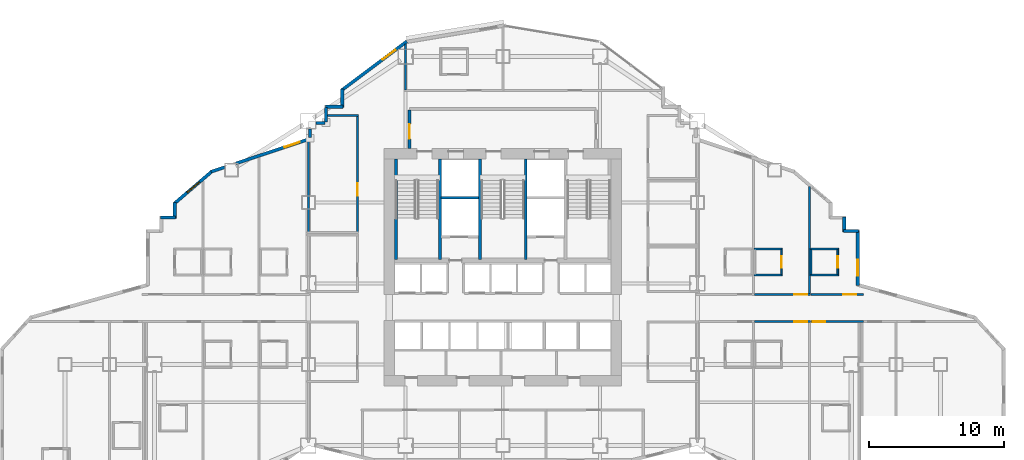
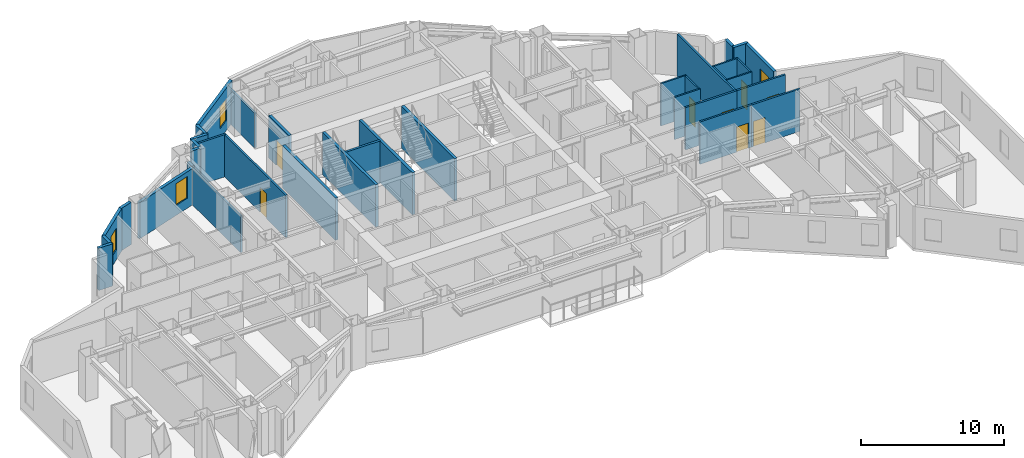
# One storey, part 11 of 17: 36 walls, 8 doors, 4 windows, 12 openings.
"""IFC4 building model written with IfcOpenShell, lengths in metres."""

from ifc_helpers import new_model, si_unit, direction, frame, frame_2d, origin, place, context, subcontext, project, spatial, rectangle, extrude, material, layer, layer_set, type_object, element, fill, save


model = new_model("IFC4")

# Units and contexts
model_context = context("Model", 3, precision=1e-05, world=origin(), true_north=direction((0.0, 1.0)))
body_context = subcontext(model_context, "Body", "Model", "MODEL_VIEW")
ifc_project = project(units=[si_unit("LENGTHUNIT", "METRE"), si_unit("AREAUNIT", "SQUARE_METRE"), si_unit("VOLUMEUNIT", "CUBIC_METRE"), si_unit("PLANEANGLEUNIT", "RADIAN"), si_unit("MASSUNIT", "GRAM", prefix="KILO")], contexts=[model_context])

# Site, building, storey
site_placement = place(None, origin())
site = spatial("IfcSite", under=ifc_project, at=site_placement, CompositionType="ELEMENT")
building_placement = place(site_placement, origin())
building = spatial("IfcBuilding", under=site, at=building_placement, Name="Haolan Belvedere Tower", CompositionType="ELEMENT")
storey_placement = place(building_placement, frame((0.0, 0.0, 81.800048828125)))
storey = spatial("IfcBuildingStorey", under=building, at=storey_placement, Name="L20", CompositionType="ELEMENT", Elevation=81.800048828125)

# Wall, opening, window
ifc_material_1 = material(Name="Precast concrete C40/50", Category="concrete")
ifc_layer_1 = layer(ifc_material_1, 0.239990234375, Name="Precast concrete C40/50")
ifc_layer_set_1 = layer_set([ifc_layer_1], Name="Precast concrete C40/50")
wall_type_1 = type_object("IfcWallType", Name="WL-EXT-240", PredefinedType="SOLIDWALL", material=ifc_layer_set_1)
wall_1_placement = place(storey_placement, frame((64.679931640625, 33.453857421875, 0.0), z_axis=(0.0, 0.0, 1.0), x_axis=(0.0, 1.0, 0.0)))
wall_1 = element("IfcWall", 1, at=wall_1_placement, inside=storey, type_object=wall_type_1, Name="L20 pale-metal exterior spandrel wall 29.1", PredefinedType="SOLIDWALL", context=body_context, shape_type="SweptSolid", body=[
    extrude(rectangle(XDim=4.0810546875, YDim=0.239990234375, at=frame_2d((2.04052734375, 0.0))), origin(), (0.0, 0.0, 1.0), 3.599853515625),
])
opening_1_placement = place(wall_1_placement, frame((0.699951171875, 0.0, 0.85009765625)))
opening_1 = element("IfcOpeningElement", 2, at=opening_1_placement, cuts=wall_1, Name="Opening W-01", PredefinedType="OPENING", context=body_context, shape_type="SweptSolid", body=[
    extrude(rectangle(XDim=1.199951171875, YDim=1.85009765625, at=frame_2d((0.60009765625, 0.925048828125))), frame((0.0, 0.1298828125, 0.0), z_axis=(0.0, -1.0, 0.0), x_axis=(1.0, 0.0, 0.0)), (0.0, 0.0, 1.0), 0.260009765625),
])
ifc_material_2 = material(Name="Anodised aluminium 6063-T6 and Low-E glass", Category="aluminium")
window_type = type_object("IfcWindowType", Name="WN-DECO-Z1", PartitioningType="SINGLE_PANEL", PredefinedType="WINDOW", material=ifc_material_2)
window_1_placement = place(opening_1_placement, origin())
window_1 = element("IfcWindow", 3, at=window_1_placement, inside=storey, type_object=window_type, Name="L20 Art Deco chevron window 1", OverallHeight=1.85009765625, OverallWidth=1.199951171875, PartitioningType="SINGLE_PANEL", PredefinedType="WINDOW", context=body_context, shape_type="SweptSolid", body=[
    extrude(rectangle(XDim=1.199951171875, YDim=1.85009765625, at=frame_2d((0.60009765625, 0.925048828125))), frame((0.0, 0.030029296875, 0.0), z_axis=(0.0, -1.0, 0.0), x_axis=(1.0, 0.0, 0.0)), (0.0, 0.0, 1.0), 0.06005859375),
])
fill(opening_1, window_1)

# Walls
wall_2_placement = place(storey_placement, frame((64.735107421875, 37.47998046875, 0.0), z_axis=(0.0, 0.0, 1.0), x_axis=(-1.0, 0.0, 0.0)))
element("IfcWall", 4, at=wall_2_placement, inside=storey, type_object=wall_type_1, Name="L20 pale-metal exterior spandrel wall 30.1", PredefinedType="SOLIDWALL", context=body_context, shape_type="SweptSolid", body=[
    extrude(rectangle(XDim=1.110107421875, YDim=0.239990234375, at=frame_2d((0.55517578125, 0.0))), origin(), (0.0, 0.0, 1.0), 3.599853515625),
])
wall_3_placement = place(storey_placement, frame((63.679931640625, 37.425048828125, 0.0), z_axis=(0.0, 0.0, 1.0), x_axis=(0.0, 1.0, 0.0)))
element("IfcWall", 5, at=wall_3_placement, inside=storey, type_object=wall_type_1, Name="L20 pale-metal exterior spandrel wall 31.1", PredefinedType="SOLIDWALL", context=body_context, shape_type="SweptSolid", body=[
    extrude(rectangle(XDim=1.10986328125, YDim=0.239990234375, at=frame_2d((0.554931640625, 0.0))), origin(), (0.0, 0.0, 1.0), 3.599853515625),
])

# Wall, opening, window
wall_4_placement = place(storey_placement, frame((31.29248046875, 51.519287109375, 0.0), z_axis=(0.0, 0.0, 1.0), x_axis=(-0.8, -0.6, 0.0)))
wall_4 = element("IfcWall", 6, at=wall_4_placement, inside=storey, type_object=wall_type_1, Name="L20 pale-metal exterior spandrel wall 44.1", PredefinedType="SOLIDWALL", context=body_context, shape_type="SweptSolid", body=[
    extrude(rectangle(XDim=6.0205078125, YDim=0.239990234375, at=frame_2d((3.01025390625, 0.0))), origin(), (0.0, 0.0, 1.0), 3.599853515625),
])
opening_2_placement = place(wall_4_placement, frame((1.047119140625, 0.0, 0.85009765625)))
opening_2 = element("IfcOpeningElement", 7, at=opening_2_placement, cuts=wall_4, Name="Opening W-01", PredefinedType="OPENING", context=body_context, shape_type="SweptSolid", body=[
    extrude(rectangle(XDim=1.199951171875, YDim=1.85009765625, at=frame_2d((0.60009765625, 0.925048828125))), frame((0.0, 0.1298828125, 0.0), z_axis=(0.0, -1.0, 0.0), x_axis=(1.0, 0.0, 0.0)), (0.0, 0.0, 1.0), 0.260009765625),
])
window_2_placement = place(opening_2_placement, origin())
window_2 = element("IfcWindow", 8, at=window_2_placement, inside=storey, type_object=window_type, Name="L20 Art Deco chevron window 1", OverallHeight=1.85009765625, OverallWidth=1.199951171875, PartitioningType="SINGLE_PANEL", PredefinedType="WINDOW", context=body_context, shape_type="SweptSolid", body=[
    extrude(rectangle(XDim=1.199951171875, YDim=1.85009765625, at=frame_2d((0.60009765625, 0.925048828125))), frame((0.0, 0.030029296875, 0.0), z_axis=(0.0, -1.0, 0.0), x_axis=(1.0, 0.0, 0.0)), (0.0, 0.0, 1.0), 0.06005859375),
])
fill(opening_2, window_2)

# Walls
wall_5_placement = place(storey_placement, frame((26.52001953125, 47.9951171875, 0.0), z_axis=(0.0, 0.0, 1.0), x_axis=(0.0, -1.0, 0.0)))
element("IfcWall", 9, at=wall_5_placement, inside=storey, type_object=wall_type_1, Name="L20 pale-metal exterior spandrel wall 45.1", PredefinedType="SOLIDWALL", context=body_context, shape_type="SweptSolid", body=[
    extrude(rectangle(XDim=1.3701171875, YDim=0.239990234375, at=frame_2d((0.68505859375, 0.0))), origin(), (0.0, 0.0, 1.0), 3.599853515625),
])
wall_6_placement = place(storey_placement, frame((26.574951171875, 46.679931640625, 0.0), z_axis=(0.0, 0.0, 1.0), x_axis=(-1.0, 0.0, 0.0)))
element("IfcWall", 10, at=wall_6_placement, inside=storey, type_object=wall_type_1, Name="L20 pale-metal exterior spandrel wall 46.1", PredefinedType="SOLIDWALL", context=body_context, shape_type="SweptSolid", body=[
    extrude(rectangle(XDim=1.31005859375, YDim=0.239990234375, at=frame_2d((0.655029296875, 0.0))), origin(), (0.0, 0.0, 1.0), 3.599853515625),
])
wall_7_placement = place(storey_placement, frame((25.320068359375, 46.614990234375, 0.0), z_axis=(0.0, 0.0, 1.0), x_axis=(0.0, -1.0, 0.0)))
element("IfcWall", 11, at=wall_7_placement, inside=storey, type_object=wall_type_1, Name="L20 pale-metal exterior spandrel wall 47.1", PredefinedType="SOLIDWALL", context=body_context, shape_type="SweptSolid", body=[
    extrude(rectangle(XDim=1.050048828125, YDim=0.239990234375, at=frame_2d((0.52490234375, 0.0))), origin(), (0.0, 0.0, 1.0), 3.599853515625),
])
wall_8_placement = place(storey_placement, frame((25.235107421875, 45.47998046875, 0.0), z_axis=(0.0, 0.0, 1.0), x_axis=(-1.0, 0.0, 0.0)))
element("IfcWall", 12, at=wall_8_placement, inside=storey, type_object=wall_type_1, Name="L20 pale-metal exterior spandrel wall 48.1", PredefinedType="SOLIDWALL", context=body_context, shape_type="SweptSolid", body=[
    extrude(rectangle(XDim=0.668212890625, YDim=0.239990234375, at=frame_2d((0.333984375, 0.0))), origin(), (0.0, 0.0, 1.0), 3.599853515625),
])
wall_9_placement = place(storey_placement, frame((24.1201171875, 45.032958984375, 0.0), z_axis=(0.0, 0.0, 1.0), x_axis=(0.0, -1.0, 0.0)))
element("IfcWall", 13, at=wall_9_placement, inside=storey, type_object=wall_type_1, Name="L20 pale-metal exterior spandrel wall 49.1", PredefinedType="SOLIDWALL", context=body_context, shape_type="SweptSolid", body=[
    extrude(rectangle(XDim=0.634521484375, YDim=0.239990234375, at=frame_2d((0.3173828125, 0.0))), origin(), (0.0, 0.0, 1.0), 3.096923828125),
])

# Wall, opening, window
wall_10_placement = place(storey_placement, frame((24.039306640625, 44.28662109375, 0.0), z_axis=(0.0, 0.0, 1.0), x_axis=(-0.948678995954, -0.316240672014, 0.0)))
wall_10 = element("IfcWall", 14, at=wall_10_placement, inside=storey, type_object=wall_type_1, Name="L20 pale-metal exterior spandrel wall 50.1", PredefinedType="SOLIDWALL", context=body_context, shape_type="SweptSolid", body=[
    extrude(rectangle(XDim=5.675048828125, YDim=0.239990234375, at=frame_2d((2.83740234375, 0.0))), origin(), (0.0, 0.0, 1.0), 3.096923828125),
])
opening_3_placement = place(wall_10_placement, frame((0.699951171875, 0.0, 0.85009765625)))
opening_3 = element("IfcOpeningElement", 15, at=opening_3_placement, cuts=wall_10, Name="Opening W-01", PredefinedType="OPENING", context=body_context, shape_type="SweptSolid", body=[
    extrude(rectangle(XDim=1.199951171875, YDim=1.85009765625, at=frame_2d((0.60009765625, 0.925048828125))), frame((0.0, 0.1298828125, 0.0), z_axis=(0.0, -1.0, 0.0), x_axis=(1.0, 0.0, 0.0)), (0.0, 0.0, 1.0), 0.260009765625),
])
window_3_placement = place(opening_3_placement, origin())
window_3 = element("IfcWindow", 16, at=window_3_placement, inside=storey, type_object=window_type, Name="L20 Art Deco chevron window 1", OverallHeight=1.85009765625, OverallWidth=1.199951171875, PartitioningType="SINGLE_PANEL", PredefinedType="WINDOW", context=body_context, shape_type="SweptSolid", body=[
    extrude(rectangle(XDim=1.199951171875, YDim=1.85009765625, at=frame_2d((0.60009765625, 0.925048828125))), frame((0.0, 0.030029296875, 0.0), z_axis=(0.0, -1.0, 0.0), x_axis=(1.0, 0.0, 0.0)), (0.0, 0.0, 1.0), 0.06005859375),
])
fill(opening_3, window_3)

# Wall
wall_11_placement = place(storey_placement, frame((17.80810546875, 42.20947265625, 0.0), z_axis=(0.0, 0.0, 1.0), x_axis=(-0.948706457285, -0.316158279832, 0.0)))
element("IfcWall", 17, at=wall_11_placement, inside=storey, type_object=wall_type_1, Name="L20 pale-metal exterior spandrel wall 50.2", PredefinedType="SOLIDWALL", context=body_context, shape_type="SweptSolid", body=[
    extrude(rectangle(XDim=1.053955078125, YDim=0.239990234375, at=frame_2d((0.52685546875, 0.0))), origin(), (0.0, 0.0, 1.0), 3.599853515625),
])

# Wall, opening, window
wall_12_placement = place(storey_placement, frame((16.902099609375, 41.929443359375, 0.0), z_axis=(0.0, 0.0, 1.0), x_axis=(-0.759275136126, -0.650769750112, 0.0)))
wall_12 = element("IfcWall", 18, at=wall_12_placement, inside=storey, type_object=wall_type_1, Name="L20 pale-metal exterior spandrel wall 51.1", PredefinedType="SOLIDWALL", context=body_context, shape_type="SweptSolid", body=[
    extrude(rectangle(XDim=3.71923828125, YDim=0.239990234375, at=frame_2d((1.859619140625, 0.0))), origin(), (0.0, 0.0, 1.0), 3.599853515625),
])
opening_4_placement = place(wall_12_placement, frame((1.2626953125, 0.0, 0.85009765625)))
opening_4 = element("IfcOpeningElement", 19, at=opening_4_placement, cuts=wall_12, Name="Opening W-01", PredefinedType="OPENING", context=body_context, shape_type="SweptSolid", body=[
    extrude(rectangle(XDim=1.199951171875, YDim=1.85009765625, at=frame_2d((0.60009765625, 0.925048828125))), frame((0.0, 0.1298828125, 0.0), z_axis=(0.0, -1.0, 0.0), x_axis=(1.0, 0.0, 0.0)), (0.0, 0.0, 1.0), 0.260009765625),
])
window_4_placement = place(opening_4_placement, origin())
window_4 = element("IfcWindow", 20, at=window_4_placement, inside=storey, type_object=window_type, Name="L20 Art Deco chevron window 1", OverallHeight=1.85009765625, OverallWidth=1.199951171875, PartitioningType="SINGLE_PANEL", PredefinedType="WINDOW", context=body_context, shape_type="SweptSolid", body=[
    extrude(rectangle(XDim=1.199951171875, YDim=1.85009765625, at=frame_2d((0.60009765625, 0.925048828125))), frame((0.0, 0.030029296875, 0.0), z_axis=(0.0, -1.0, 0.0), x_axis=(1.0, 0.0, 0.0)), (0.0, 0.0, 1.0), 0.06005859375),
])
fill(opening_4, window_4)

# Walls
wall_13_placement = place(storey_placement, frame((14.1201171875, 39.599853515625, 0.0), z_axis=(0.0, 0.0, 1.0), x_axis=(0.0, -1.0, 0.0)))
element("IfcWall", 21, at=wall_13_placement, inside=storey, type_object=wall_type_1, Name="L20 pale-metal exterior spandrel wall 52.1", PredefinedType="SOLIDWALL", context=body_context, shape_type="SweptSolid", body=[
    extrude(rectangle(XDim=1.1748046875, YDim=0.239990234375, at=frame_2d((0.58740234375, 0.0))), origin(), (0.0, 0.0, 1.0), 3.599853515625),
])
wall_14_placement = place(storey_placement, frame((14.175048828125, 38.47998046875, 0.0), z_axis=(0.0, 0.0, 1.0), x_axis=(-1.0, 0.0, 0.0)))
element("IfcWall", 22, at=wall_14_placement, inside=storey, type_object=wall_type_1, Name="L20 pale-metal exterior spandrel wall 53.1", PredefinedType="SOLIDWALL", context=body_context, shape_type="SweptSolid", body=[
    extrude(rectangle(XDim=1.110107421875, YDim=0.239990234375, at=frame_2d((0.55517578125, 0.0))), origin(), (0.0, 0.0, 1.0), 3.599853515625),
])

# Wall, opening, door
ifc_material_3 = material(Name="Concrete C40/50", Category="concrete")
ifc_layer_2 = layer(ifc_material_3, 0.199951171875, Name="Concrete C40/50")
ifc_layer_set_2 = layer_set([ifc_layer_2], Name="Concrete C40/50")
wall_type_2 = type_object("IfcWallType", Name="WL-FIRE-200", PredefinedType="SOLIDWALL", material=ifc_layer_set_2)
wall_15_placement = place(storey_placement, frame((31.5, 43.60009765625, 0.0), z_axis=(0.0, 0.0, 1.0), x_axis=(0.0, 1.0, 0.0)))
wall_15 = element("IfcWall", 23, at=wall_15_placement, inside=storey, type_object=wall_type_2, Name="L20 interior partition IW-L20-FFL-W", PredefinedType="SOLIDWALL", context=body_context, shape_type="SweptSolid", body=[
    extrude(rectangle(XDim=2.8349609375, YDim=0.199951171875, at=frame_2d((1.41748046875, 0.0))), origin(), (0.0, 0.0, 1.0), 3.599853515625),
])
opening_5_placement = place(wall_15_placement, frame((1.800048828125, 0.0, 0.0), z_axis=(0.0, 0.0, 1.0), x_axis=(-1.0, 0.0, 0.0)))
opening_5 = element("IfcOpeningElement", 24, at=opening_5_placement, cuts=wall_15, Name="Opening FD-03", PredefinedType="OPENING", context=body_context, shape_type="SweptSolid", body=[
    extrude(rectangle(XDim=1.10009765625, YDim=2.14990234375, at=frame_2d((0.550048828125, 1.074951171875))), frame((0.0, 0.10986328125, 0.0), z_axis=(0.0, -1.0, 0.0), x_axis=(1.0, 0.0, 0.0)), (0.0, 0.0, 1.0), 0.219970703125),
])
ifc_material_4 = material(Name="Galvanised fire-rated steel", Category="steel")
door_type_1 = type_object("IfcDoorType", Name="DR-FD90-1100", OperationType="NOTDEFINED", PredefinedType="DOOR", material=ifc_material_4)
door_1_placement = place(opening_5_placement, origin())
door_1 = element("IfcDoor", 25, at=door_1_placement, inside=storey, type_object=door_type_1, Name="L20 door ID-L20-FFL-DW", OperationType="SINGLE_SWING_LEFT", OverallHeight=2.14990234375, OverallWidth=1.10009765625, PredefinedType="DOOR", context=body_context, shape_type="SweptSolid", body=[
    extrude(rectangle(XDim=1.10009765625, YDim=2.14990234375, at=frame_2d((0.550048828125, 1.074951171875))), frame((0.0, 0.02490234375, 0.0), z_axis=(0.0, -1.0, 0.0), x_axis=(1.0, 0.0, 0.0)), (0.0, 0.0, 1.0), 0.050048828125),
])
fill(opening_5, door_1)

# Walls
ifc_material_5 = material(Name="Double gypsum acoustic stud partition", Category="masonry")
ifc_layer_3 = layer(ifc_material_5, 0.14990234375, Name="Double gypsum acoustic stud partition")
ifc_layer_set_3 = layer_set([ifc_layer_3], Name="Double gypsum acoustic stud partition")
wall_type_3 = type_object("IfcWallType", Name="WL-PART-150", PredefinedType="PARTITIONING", material=ifc_layer_set_3)
wall_16_placement = place(storey_placement, frame((25.425048828125, 46.02001953125, 0.0), z_axis=(0.0, 0.0, 1.0), x_axis=(1.0, 0.0, 0.0)))
element("IfcWall", 26, at=wall_16_placement, inside=storey, type_object=wall_type_3, Name="L20 interior partition IW-L20-MTG-N", PredefinedType="PARTITIONING", context=body_context, shape_type="SweptSolid", body=[
    extrude(rectangle(XDim=2.294921875, YDim=0.14990234375, at=frame_2d((1.1474609375, 0.0))), origin(), (0.0, 0.0, 1.0), 3.599853515625),
])
wall_17_placement = place(storey_placement, frame((24.0, 37.419921875, 0.0), z_axis=(0.0, 0.0, 1.0), x_axis=(0.0, 1.0, 0.0)))
element("IfcWall", 27, at=wall_17_placement, inside=storey, type_object=wall_type_3, Name="L20 interior partition IW-L20-MTG-W", PredefinedType="PARTITIONING", context=body_context, shape_type="SweptSolid", body=[
    extrude(rectangle(XDim=6.742919921875, YDim=0.14990234375, at=frame_2d((3.37158203125, 0.0))), origin(), (0.0, 0.0, 1.0), 3.096923828125),
])

# Wall, opening, door
wall_18_placement = place(storey_placement, frame((27.639892578125, 37.419921875, 0.0), z_axis=(0.0, 0.0, 1.0), x_axis=(0.0, 1.0, 0.0)))
wall_18 = element("IfcWall", 28, at=wall_18_placement, inside=storey, type_object=wall_type_3, Name="L20 interior partition IW-L20-MTG-E", PredefinedType="PARTITIONING", context=body_context, shape_type="SweptSolid", body=[
    extrude(rectangle(XDim=8.5400390625, YDim=0.14990234375, at=frame_2d((4.27001953125, 0.0))), origin(), (0.0, 0.0, 1.0), 3.599853515625),
])
opening_6_placement = place(wall_18_placement, frame((3.60986328125, 0.0, 0.0), z_axis=(0.0, 0.0, 1.0), x_axis=(-1.0, 0.0, 0.0)))
opening_6 = element("IfcOpeningElement", 29, at=opening_6_placement, cuts=wall_18, Name="Opening ID-03", PredefinedType="OPENING", context=body_context, shape_type="SweptSolid", body=[
    extrude(rectangle(XDim=0.949951171875, YDim=2.1201171875, at=frame_2d((0.47509765625, 1.06005859375))), frame((0.0, 0.0849609375, 0.0), z_axis=(0.0, -1.0, 0.0), x_axis=(1.0, 0.0, 0.0)), (0.0, 0.0, 1.0), 0.169921875),
])
ifc_material_6 = material(Name="Painted solid-core timber", Category="wood")
door_type_2 = type_object("IfcDoorType", Name="DR-INT-950", OperationType="NOTDEFINED", PredefinedType="DOOR", material=ifc_material_6)
door_2_placement = place(opening_6_placement, origin())
door_2 = element("IfcDoor", 30, at=door_2_placement, inside=storey, type_object=door_type_2, Name="L20 door ID-L20-MTG", OperationType="SINGLE_SWING_RIGHT", OverallHeight=2.1201171875, OverallWidth=0.949951171875, PredefinedType="DOOR", context=body_context, shape_type="SweptSolid", body=[
    extrude(rectangle(XDim=0.949951171875, YDim=2.1201171875, at=frame_2d((0.47509765625, 1.06005859375))), frame((0.0, 0.02490234375, 0.0), z_axis=(0.0, -1.0, 0.0), x_axis=(1.0, 0.0, 0.0)), (0.0, 0.0, 1.0), 0.050048828125),
])
fill(opening_6, door_2)

# Wall
wall_19_placement = place(storey_placement, frame((31.199951171875, 47.93994140625, 0.0), z_axis=(0.0, 0.0, 1.0), x_axis=(0.0, 1.0, 0.0)))
element("IfcWall", 31, at=wall_19_placement, inside=storey, type_object=wall_type_3, Name="L20 interior partition IW-L20-KN2-W", PredefinedType="PARTITIONING", context=body_context, shape_type="SweptSolid", body=[
    extrude(rectangle(XDim=3.378662109375, YDim=0.14990234375, at=frame_2d((1.689453125, 0.0))), origin(), (0.0, 0.0, 1.0), 2.98486328125),
])

# Wall, opening, door
wall_20_placement = place(storey_placement, frame((57.052001953125, 32.780029296875, 0.0), z_axis=(0.0, 0.0, 1.0), x_axis=(1.0, 0.0, 0.0)))
wall_20 = element("IfcWall", 32, at=wall_20_placement, inside=storey, type_object=wall_type_3, Name="L20 interior partition IW-L20-T4N2-S", PredefinedType="PARTITIONING", context=body_context, shape_type="SweptSolid", body=[
    extrude(rectangle(XDim=4.14794921875, YDim=0.14990234375, at=frame_2d((2.073974609375, 0.0))), origin(), (0.0, 0.0, 1.0), 3.599853515625),
])
opening_7_placement = place(wall_20_placement, frame((2.935302734375, 0.0, 0.0)))
opening_7 = element("IfcOpeningElement", 33, at=opening_7_placement, cuts=wall_20, Name="Opening ID-02", PredefinedType="OPENING", context=body_context, shape_type="SweptSolid", body=[
    extrude(rectangle(XDim=0.949951171875, YDim=2.14990234375, at=frame_2d((0.47509765625, 1.074951171875))), frame((0.0, 0.0849609375, 0.0), z_axis=(0.0, -1.0, 0.0), x_axis=(1.0, 0.0, 0.0)), (0.0, 0.0, 1.0), 0.169921875),
])
ifc_material_7 = material(Name="Acoustic oak veneer fire-rated timber", Category="wood")
door_type_3 = type_object("IfcDoorType", Name="DR-GUEST-950", OperationType="NOTDEFINED", PredefinedType="DOOR", material=ifc_material_7)
door_3_placement = place(opening_7_placement, origin())
door_3 = element("IfcDoor", 34, at=door_3_placement, inside=storey, type_object=door_type_3, Name="L20 door ID-L20-T4N2-ENT", OperationType="SINGLE_SWING_LEFT", OverallHeight=2.14990234375, OverallWidth=0.949951171875, PredefinedType="DOOR", context=body_context, shape_type="SweptSolid", body=[
    extrude(rectangle(XDim=0.949951171875, YDim=2.14990234375, at=frame_2d((0.47509765625, 1.074951171875))), frame((0.0, 0.02490234375, 0.0), z_axis=(0.0, -1.0, 0.0), x_axis=(1.0, 0.0, 0.0)), (0.0, 0.0, 1.0), 0.050048828125),
])
fill(opening_7, door_3)

# Wall
wall_21_placement = place(storey_placement, frame((61.10009765625, 32.840087890625, 0.0), z_axis=(0.0, 0.0, 1.0), x_axis=(0.0, 1.0, 0.0)))
element("IfcWall", 35, at=wall_21_placement, inside=storey, type_object=wall_type_3, Name="L20 interior partition IW-L20-T4N2-E", PredefinedType="PARTITIONING", context=body_context, shape_type="SweptSolid", body=[
    extrude(rectangle(XDim=7.920654296875, YDim=0.14990234375, at=frame_2d((3.96044921875, 0.0))), origin(), (0.0, 0.0, 1.0), 3.599853515625),
])

# Wall, opening, door
wall_22_placement = place(storey_placement, frame((61.201904296875, 32.780029296875, 0.0), z_axis=(0.0, 0.0, 1.0), x_axis=(1.0, 0.0, 0.0)))
wall_22 = element("IfcWall", 36, at=wall_22_placement, inside=storey, type_object=wall_type_3, Name="L20 interior partition IW-L20-T4N3-S", PredefinedType="PARTITIONING", context=body_context, shape_type="SweptSolid", body=[
    extrude(rectangle(XDim=3.898193359375, YDim=0.14990234375, at=frame_2d((1.94921875, 0.0))), origin(), (0.0, 0.0, 1.0), 3.599853515625),
])
opening_8_placement = place(wall_22_placement, frame((2.41259765625, 0.0, 0.0)))
opening_8 = element("IfcOpeningElement", 37, at=opening_8_placement, cuts=wall_22, Name="Opening ID-02", PredefinedType="OPENING", context=body_context, shape_type="SweptSolid", body=[
    extrude(rectangle(XDim=0.949951171875, YDim=2.14990234375, at=frame_2d((0.47509765625, 1.074951171875))), frame((0.0, 0.0849609375, 0.0), z_axis=(0.0, -1.0, 0.0), x_axis=(1.0, 0.0, 0.0)), (0.0, 0.0, 1.0), 0.169921875),
])
door_4_placement = place(opening_8_placement, origin())
door_4 = element("IfcDoor", 38, at=door_4_placement, inside=storey, type_object=door_type_3, Name="L20 door ID-L20-T4N3-ENT", OperationType="SINGLE_SWING_RIGHT", OverallHeight=2.14990234375, OverallWidth=0.949951171875, PredefinedType="DOOR", context=body_context, shape_type="SweptSolid", body=[
    extrude(rectangle(XDim=0.949951171875, YDim=2.14990234375, at=frame_2d((0.47509765625, 1.074951171875))), frame((0.0, 0.02490234375, 0.0), z_axis=(0.0, -1.0, 0.0), x_axis=(1.0, 0.0, 0.0)), (0.0, 0.0, 1.0), 0.050048828125),
])
fill(opening_8, door_4)

wall_23_placement = place(storey_placement, frame((57.052001953125, 30.77001953125, 0.0), z_axis=(0.0, 0.0, 1.0), x_axis=(1.0, 0.0, 0.0)))
wall_23 = element("IfcWall", 39, at=wall_23_placement, inside=storey, type_object=wall_type_3, Name="L20 interior partition IW-L20-T4S2-N", PredefinedType="PARTITIONING", context=body_context, shape_type="SweptSolid", body=[
    extrude(rectangle(XDim=4.14794921875, YDim=0.14990234375, at=frame_2d((2.073974609375, 0.0))), origin(), (0.0, 0.0, 1.0), 3.599853515625),
])
opening_9_placement = place(wall_23_placement, frame((3.88525390625, 0.0, 0.0), z_axis=(0.0, 0.0, 1.0), x_axis=(-1.0, 0.0, 0.0)))
opening_9 = element("IfcOpeningElement", 40, at=opening_9_placement, cuts=wall_23, Name="Opening ID-02", PredefinedType="OPENING", context=body_context, shape_type="SweptSolid", body=[
    extrude(rectangle(XDim=0.949951171875, YDim=2.14990234375, at=frame_2d((0.47509765625, 1.074951171875))), frame((0.0, 0.0849609375, 0.0), z_axis=(0.0, -1.0, 0.0), x_axis=(1.0, 0.0, 0.0)), (0.0, 0.0, 1.0), 0.169921875),
])
door_5_placement = place(opening_9_placement, origin())
door_5 = element("IfcDoor", 41, at=door_5_placement, inside=storey, type_object=door_type_3, Name="L20 door ID-L20-T4S2-ENT", OperationType="SINGLE_SWING_RIGHT", OverallHeight=2.14990234375, OverallWidth=0.949951171875, PredefinedType="DOOR", context=body_context, shape_type="SweptSolid", body=[
    extrude(rectangle(XDim=0.949951171875, YDim=2.14990234375, at=frame_2d((0.47509765625, 1.074951171875))), frame((0.0, 0.02490234375, 0.0), z_axis=(0.0, -1.0, 0.0), x_axis=(1.0, 0.0, 0.0)), (0.0, 0.0, 1.0), 0.050048828125),
])
fill(opening_9, door_5)

wall_24_placement = place(storey_placement, frame((61.201904296875, 30.77001953125, 0.0), z_axis=(0.0, 0.0, 1.0), x_axis=(1.0, 0.0, 0.0)))
wall_24 = element("IfcWall", 42, at=wall_24_placement, inside=storey, type_object=wall_type_3, Name="L20 interior partition IW-L20-T4S3-N", PredefinedType="PARTITIONING", context=body_context, shape_type="SweptSolid", body=[
    extrude(rectangle(XDim=3.898193359375, YDim=0.14990234375, at=frame_2d((1.94921875, 0.0))), origin(), (0.0, 0.0, 1.0), 3.599853515625),
])
opening_10_placement = place(wall_24_placement, frame((1.08984375, 0.0, 0.0), z_axis=(0.0, 0.0, 1.0), x_axis=(-1.0, 0.0, 0.0)))
opening_10 = element("IfcOpeningElement", 43, at=opening_10_placement, cuts=wall_24, Name="Opening ID-02", PredefinedType="OPENING", context=body_context, shape_type="SweptSolid", body=[
    extrude(rectangle(XDim=0.949951171875, YDim=2.14990234375, at=frame_2d((0.47509765625, 1.074951171875))), frame((0.0, 0.0849609375, 0.0), z_axis=(0.0, -1.0, 0.0), x_axis=(1.0, 0.0, 0.0)), (0.0, 0.0, 1.0), 0.169921875),
])
door_6_placement = place(opening_10_placement, origin())
door_6 = element("IfcDoor", 44, at=door_6_placement, inside=storey, type_object=door_type_3, Name="L20 door ID-L20-T4S3-ENT", OperationType="SINGLE_SWING_LEFT", OverallHeight=2.14990234375, OverallWidth=0.949951171875, PredefinedType="DOOR", context=body_context, shape_type="SweptSolid", body=[
    extrude(rectangle(XDim=0.949951171875, YDim=2.14990234375, at=frame_2d((0.47509765625, 1.074951171875))), frame((0.0, 0.02490234375, 0.0), z_axis=(0.0, -1.0, 0.0), x_axis=(1.0, 0.0, 0.0)), (0.0, 0.0, 1.0), 0.050048828125),
])
fill(opening_10, door_6)

# Walls
ifc_layer_4 = layer(ifc_material_1, 0.179931640625, Name="Precast concrete C40/50")
ifc_layer_set_4 = layer_set([ifc_layer_4], Name="Precast concrete C40/50")
wall_type_4 = type_object("IfcWallType", Name="WL-SHAFT-180", PredefinedType="SOLIDWALL", material=ifc_layer_set_4)
wall_25_placement = place(storey_placement, frame((33.8349609375, 39.949951171875, 0.0), z_axis=(0.0, 0.0, 1.0), x_axis=(1.0, 0.0, 0.0)))
element("IfcWall", 45, at=wall_25_placement, inside=storey, type_object=wall_type_4, Name="L20 interior partition IW-L20-FF1-S", PredefinedType="SOLIDWALL", context=body_context, shape_type="SweptSolid", body=[
    extrude(rectangle(XDim=2.77001953125, YDim=0.179931640625, at=frame_2d((1.385009765625, 0.0))), origin(), (0.0, 0.0, 1.0), 3.599853515625),
])
ifc_material_8 = material(Name="Concrete C50/60", Category="concrete")
ifc_layer_5 = layer(ifc_material_8, 0.219970703125, Name="Concrete C50/60")
ifc_layer_set_5 = layer_set([ifc_layer_5], Name="Concrete C50/60")
wall_type_5 = type_object("IfcWallType", Name="WL-STAIR-220", PredefinedType="SHEAR", material=ifc_layer_set_5)
for number, where, z_axis, x_axis, name in (
    (46, (30.511962890625, 35.389892578125, 0.0), (0.0, 0.0, 1.0), (0.0, 1.0, 0.0), "L20 structural stair core wall ST1W"),
    (47, (33.739990234375, 35.389892578125, 0.0), (0.0, 0.0, 1.0), (0.0, 1.0, 0.0), "L20 structural stair core wall ST1E"),
    (48, (36.699951171875, 35.389892578125, 0.0), (0.0, 0.0, 1.0), (0.0, 1.0, 0.0), "L20 structural stair core wall ST3W"),
    (49, (40.10009765625, 35.389892578125, 0.0), (0.0, 0.0, 1.0), (0.0, 1.0, 0.0), "L20 structural stair core wall ST3E"),
):
    element("IfcWall", number, at=place(storey_placement, frame(where, z_axis=z_axis, x_axis=x_axis)), inside=storey, type_object=wall_type_5, Name=name, PredefinedType="SHEAR", context=body_context, shape_type="SweptSolid", body=[
        extrude(rectangle(XDim=7.41015625, YDim=0.219970703125, at=frame_2d((3.705078125, 0.0))), origin(), (0.0, 0.0, 1.0), 3.599853515625),
    ])
ifc_material_9 = material(Name="Moisture-resistant gypsum tile partition", Category="masonry")
ifc_layer_6 = layer(ifc_material_9, 0.1201171875, Name="Moisture-resistant gypsum tile partition")
ifc_layer_set_6 = layer_set([ifc_layer_6], Name="Moisture-resistant gypsum tile partition")
wall_type_6 = type_object("IfcWallType", Name="WL-WET-120", PredefinedType="PARTITIONING", material=ifc_layer_set_6)
for number, where, z_axis, x_axis, name in (
    (50, (57.010009765625, 36.14990234375, 0.0), (0.0, 0.0, 1.0), (1.0, 0.0, 0.0), "L20 interior partition IW-L20-T4N2-BN"),
    (51, (57.010009765625, 34.22998046875, 0.0), (0.0, 0.0, 1.0), (1.0, 0.0, 0.0), "L20 interior partition IW-L20-T4N2-BS"),
):
    element("IfcWall", number, at=place(storey_placement, frame(where, z_axis=z_axis, x_axis=x_axis)), inside=storey, type_object=wall_type_6, Name=name, PredefinedType="PARTITIONING", context=body_context, shape_type="SweptSolid", body=[
        extrude(rectangle(XDim=2.080078125, YDim=0.1201171875, at=frame_2d((1.0400390625, 0.0))), origin(), (0.0, 0.0, 1.0), 3.599853515625),
    ])

# Wall, opening, door
wall_26_placement = place(storey_placement, frame((59.030029296875, 34.27490234375, 0.0), z_axis=(0.0, 0.0, 1.0), x_axis=(0.0, 1.0, 0.0)))
wall_26 = element("IfcWall", 52, at=wall_26_placement, inside=storey, type_object=wall_type_6, Name="L20 interior partition IW-L20-T4N2-BE", PredefinedType="PARTITIONING", context=body_context, shape_type="SweptSolid", body=[
    extrude(rectangle(XDim=1.830078125, YDim=0.1201171875, at=frame_2d((0.9150390625, 0.0))), origin(), (0.0, 0.0, 1.0), 3.599853515625),
])
opening_11_placement = place(wall_26_placement, frame((0.489990234375, 0.0, 0.0)))
opening_11 = element("IfcOpeningElement", 53, at=opening_11_placement, cuts=wall_26, Name="Opening ID-05", PredefinedType="OPENING", context=body_context, shape_type="SweptSolid", body=[
    extrude(rectangle(XDim=0.85009765625, YDim=2.10009765625, at=frame_2d((0.425048828125, 1.050048828125))), frame((0.0, 0.070068359375, 0.0), z_axis=(0.0, -1.0, 0.0), x_axis=(1.0, 0.0, 0.0)), (0.0, 0.0, 1.0), 0.14013671875),
])
ifc_material_10 = material(Name="Moisture-resistant lacquered timber", Category="wood")
door_type_4 = type_object("IfcDoorType", Name="DR-BATH-850", OperationType="NOTDEFINED", PredefinedType="DOOR", material=ifc_material_10)
door_7_placement = place(opening_11_placement, origin())
door_7 = element("IfcDoor", 54, at=door_7_placement, inside=storey, type_object=door_type_4, Name="L20 door ID-L20-T4N2-BATH", OperationType="SINGLE_SWING_RIGHT", OverallHeight=2.10009765625, OverallWidth=0.85009765625, PredefinedType="DOOR", context=body_context, shape_type="SweptSolid", body=[
    extrude(rectangle(XDim=0.85009765625, YDim=2.10009765625, at=frame_2d((0.425048828125, 1.050048828125))), frame((0.0, 0.02490234375, 0.0), z_axis=(0.0, -1.0, 0.0), x_axis=(1.0, 0.0, 0.0)), (0.0, 0.0, 1.0), 0.050048828125),
])
fill(opening_11, door_7)

# Walls
for number, where, z_axis, x_axis, name in (
    (55, (61.159912109375, 36.14990234375, 0.0), (0.0, 0.0, 1.0), (1.0, 0.0, 0.0), "L20 interior partition IW-L20-T4N3-BN"),
    (56, (61.159912109375, 34.22998046875, 0.0), (0.0, 0.0, 1.0), (1.0, 0.0, 0.0), "L20 interior partition IW-L20-T4N3-BS"),
):
    element("IfcWall", number, at=place(storey_placement, frame(where, z_axis=z_axis, x_axis=x_axis)), inside=storey, type_object=wall_type_6, Name=name, PredefinedType="PARTITIONING", context=body_context, shape_type="SweptSolid", body=[
        extrude(rectangle(XDim=2.094970703125, YDim=0.1201171875, at=frame_2d((1.04736328125, 0.0))), origin(), (0.0, 0.0, 1.0), 3.599853515625),
    ])
wall_27_placement = place(storey_placement, frame((61.215087890625, 34.27490234375, 0.0), z_axis=(0.0, 0.0, 1.0), x_axis=(0.0, 1.0, 0.0)))
element("IfcWall", 57, at=wall_27_placement, inside=storey, type_object=wall_type_6, Name="L20 interior partition IW-L20-T4N3-BW", PredefinedType="PARTITIONING", context=body_context, shape_type="SweptSolid", body=[
    extrude(rectangle(XDim=1.830078125, YDim=0.1201171875, at=frame_2d((0.9150390625, 0.0))), origin(), (0.0, 0.0, 1.0), 3.599853515625),
])

# Wall, opening, door
wall_28_placement = place(storey_placement, frame((63.195068359375, 34.27490234375, 0.0), z_axis=(0.0, 0.0, 1.0), x_axis=(0.0, 1.0, 0.0)))
wall_28 = element("IfcWall", 58, at=wall_28_placement, inside=storey, type_object=wall_type_6, Name="L20 interior partition IW-L20-T4N3-BE", PredefinedType="PARTITIONING", context=body_context, shape_type="SweptSolid", body=[
    extrude(rectangle(XDim=1.830078125, YDim=0.1201171875, at=frame_2d((0.9150390625, 0.0))), origin(), (0.0, 0.0, 1.0), 3.599853515625),
])
opening_12_placement = place(wall_28_placement, frame((0.489990234375, 0.0, 0.0)))
opening_12 = element("IfcOpeningElement", 59, at=opening_12_placement, cuts=wall_28, Name="Opening ID-05", PredefinedType="OPENING", context=body_context, shape_type="SweptSolid", body=[
    extrude(rectangle(XDim=0.85009765625, YDim=2.10009765625, at=frame_2d((0.425048828125, 1.050048828125))), frame((0.0, 0.070068359375, 0.0), z_axis=(0.0, -1.0, 0.0), x_axis=(1.0, 0.0, 0.0)), (0.0, 0.0, 1.0), 0.14013671875),
])
door_8_placement = place(opening_12_placement, origin())
door_8 = element("IfcDoor", 60, at=door_8_placement, inside=storey, type_object=door_type_4, Name="L20 door ID-L20-T4N3-BATH", OperationType="SINGLE_SWING_LEFT", OverallHeight=2.10009765625, OverallWidth=0.85009765625, PredefinedType="DOOR", context=body_context, shape_type="SweptSolid", body=[
    extrude(rectangle(XDim=0.85009765625, YDim=2.10009765625, at=frame_2d((0.425048828125, 1.050048828125))), frame((0.0, 0.02490234375, 0.0), z_axis=(0.0, -1.0, 0.0), x_axis=(1.0, 0.0, 0.0)), (0.0, 0.0, 1.0), 0.050048828125),
])
fill(opening_12, door_8)

save(model, "model.ifc")
